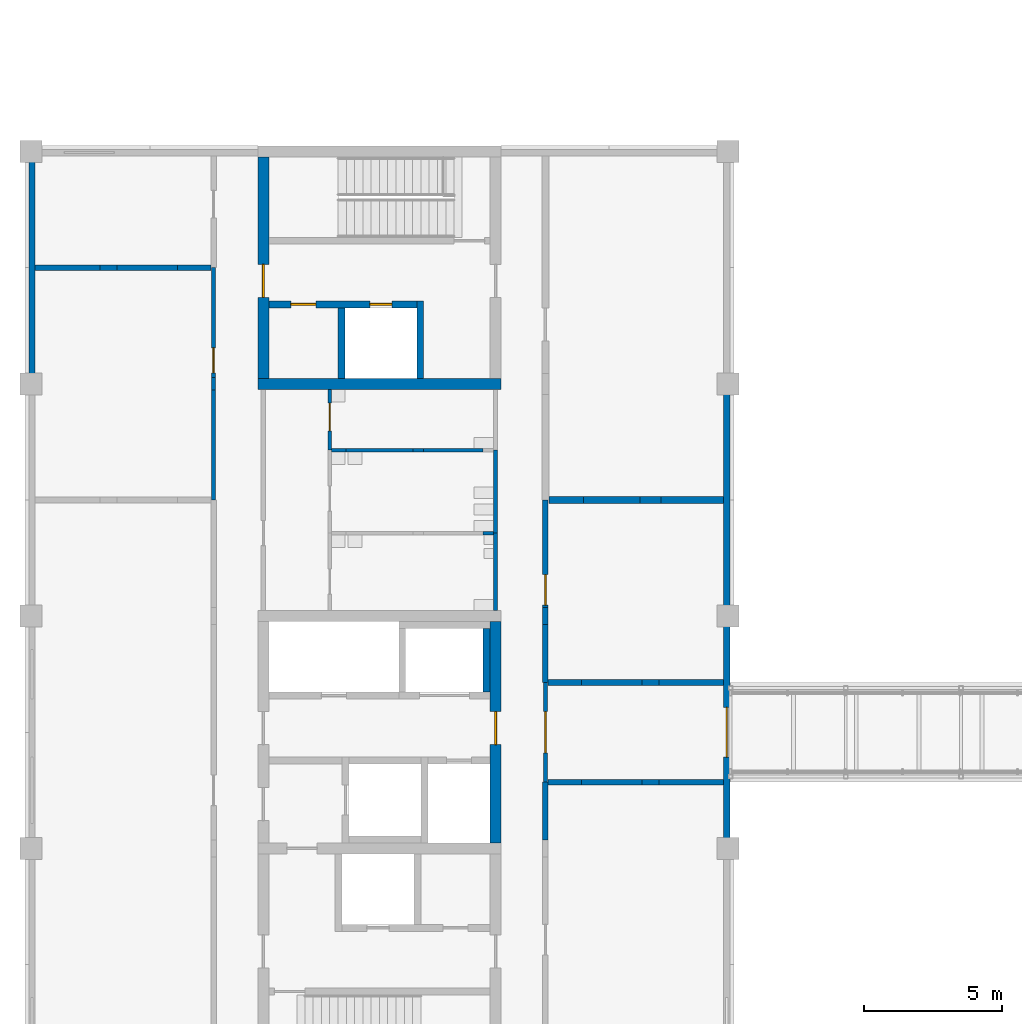
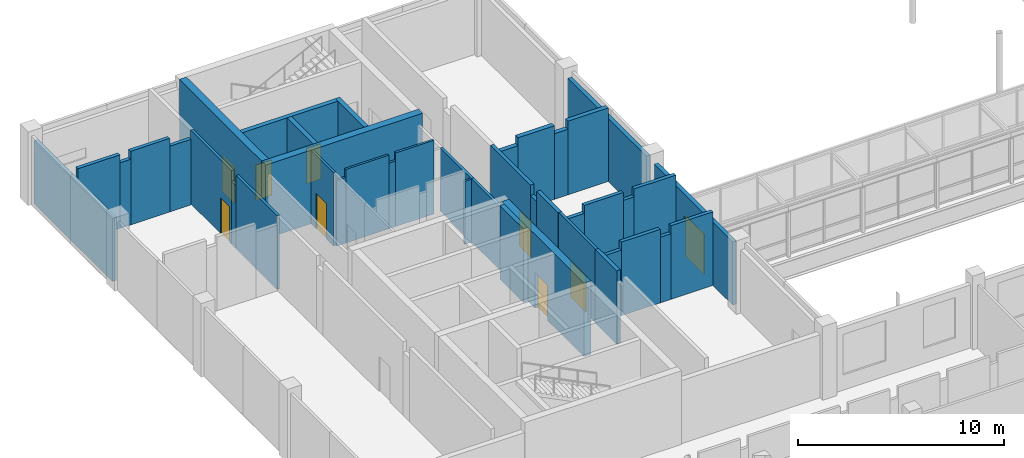
# One storey, part 36 of 70: 42 walls, 9 doors, 9 openings.
"""IFC4 building model written with IfcOpenShell, lengths in metres."""

from ifc_helpers import new_model, si_unit, direction, frame, frame_2d, origin, place, context, subcontext, project, spatial, rectangle, extrude, material, layer, layer_set, type_object, element, fill, save


model = new_model("IFC4")

# Units and contexts
model_context = context("Model", 3, precision=1e-05, world=origin(), true_north=direction((0.0, 1.0)))
body_context = subcontext(model_context, "Body", "Model", "MODEL_VIEW")
ifc_project = project(units=[si_unit("LENGTHUNIT", "METRE"), si_unit("AREAUNIT", "SQUARE_METRE"), si_unit("VOLUMEUNIT", "CUBIC_METRE"), si_unit("PLANEANGLEUNIT", "RADIAN"), si_unit("MASSUNIT", "GRAM", prefix="KILO")], contexts=[model_context])

# Site, building, storey
site_placement = place(None, origin())
site = spatial("IfcSite", under=ifc_project, at=site_placement, CompositionType="ELEMENT")
building_placement = place(site_placement, origin())
building = spatial("IfcBuilding", under=site, at=building_placement, Name="Hlaing Beacon Police Headquarters", CompositionType="ELEMENT")
storey_placement = place(building_placement, frame((0.0, 0.0, 5.39990234375)))
storey = spatial("IfcBuildingStorey", under=building, at=storey_placement, Name="L01", CompositionType="ELEMENT", Elevation=5.39990234375)

# Wall, opening, door
ifc_material_1 = material(Name="Concrete C60/75", Category="concrete")
ifc_layer_1 = layer(ifc_material_1, 0.39990234375)
ifc_layer_set_1 = layer_set([ifc_layer_1], Name="Concrete C60/75")
wall_type_1 = type_object("IfcWallType", Name="Core shear wall 400", PredefinedType="SHEAR", material=ifc_layer_set_1)
wall_1_placement = place(storey_placement, frame((25.199951171875, 42.199951171875, 0.0), z_axis=(0.0, 0.0, 1.0), x_axis=(0.0, 1.0, 0.0)))
wall_1 = element("IfcWall", 1, at=wall_1_placement, inside=storey, type_object=wall_type_1, Name="Core shear wall", PredefinedType="SHEAR", context=body_context, shape_type="SweptSolid", body=[
    extrude(rectangle(XDim=8.0, YDim=0.39990234375, at=frame_2d((4.0, 0.0))), origin(), (0.0, 0.0, 1.0), 4.3701171875),
])
opening_1_placement = place(wall_1_placement, frame((3.550048828125, 0.0, 0.0)))
opening_1 = element("IfcOpeningElement", 2, at=opening_1_placement, cuts=wall_1, Name="Opening L01-951", PredefinedType="OPENING", context=body_context, shape_type="SweptSolid", body=[
    extrude(rectangle(XDim=1.199951171875, YDim=2.10009765625, at=frame_2d((0.60009765625, 1.050048828125))), frame((0.0, 0.2099609375, 0.0), z_axis=(0.0, -1.0, 0.0), x_axis=(1.0, 0.0, 0.0)), (0.0, 0.0, 1.0), 0.419921875),
])
ifc_material_2 = material(Name="Steel fire door leaf", Category="steel")
ifc_layer_2 = layer(ifc_material_2, 0.070068359375)
ifc_layer_set_2 = layer_set([ifc_layer_2], Name="Steel fire door leaf")
door_type_1 = type_object("IfcDoorType", Name="Steel fire door FD60S 1200x2100", OperationType="SINGLE_SWING_LEFT", PredefinedType="DOOR", material=ifc_layer_set_2)
door_1_placement = place(opening_1_placement, origin())
door_1 = element("IfcDoor", 3, at=door_1_placement, inside=storey, type_object=door_type_1, Name="Door Lift Lobby Entry", OperationType="SINGLE_SWING_LEFT", OverallHeight=2.10009765625, OverallWidth=1.199951171875, PredefinedType="DOOR", context=body_context, shape_type="SweptSolid", body=[
    extrude(rectangle(XDim=1.199951171875, YDim=2.10009765625, at=frame_2d((0.60009765625, 1.050048828125))), frame((0.0, 0.03515625, 0.0), z_axis=(0.0, -1.0, 0.0), x_axis=(1.0, 0.0, 0.0)), (0.0, 0.0, 1.0), 0.070068359375),
])
fill(opening_1, door_1)

# Wall
wall_2_placement = place(storey_placement, frame((16.60009765625, 58.800048828125, 0.0), z_axis=(0.0, 0.0, 1.0), x_axis=(1.0, 0.0, 0.0)))
element("IfcWall", 4, at=wall_2_placement, inside=storey, type_object=wall_type_1, Name="Core shear wall", PredefinedType="SHEAR", context=body_context, shape_type="SweptSolid", body=[
    extrude(rectangle(XDim=8.7998046875, YDim=0.39990234375, at=frame_2d((4.39990234375, 0.0))), origin(), (0.0, 0.0, 1.0), 4.3701171875),
])

# Wall, opening, door
wall_3_placement = place(storey_placement, frame((16.800048828125, 59.0, 0.0), z_axis=(0.0, 0.0, 1.0), x_axis=(0.0, 1.0, 0.0)))
wall_3 = element("IfcWall", 5, at=wall_3_placement, inside=storey, type_object=wall_type_1, Name="Core shear wall", PredefinedType="SHEAR", context=body_context, shape_type="SweptSolid", body=[
    extrude(rectangle(XDim=8.0, YDim=0.39990234375, at=frame_2d((4.0, 0.0))), origin(), (0.0, 0.0, 1.0), 4.3701171875),
])
opening_2_placement = place(wall_3_placement, frame((2.925048828125, 0.0, 0.0)))
opening_2 = element("IfcOpeningElement", 6, at=opening_2_placement, cuts=wall_3, Name="Opening L01-957", PredefinedType="OPENING", context=body_context, shape_type="SweptSolid", body=[
    extrude(rectangle(XDim=1.199951171875, YDim=2.10009765625, at=frame_2d((0.60009765625, 1.050048828125))), frame((0.0, 0.2099609375, 0.0), z_axis=(0.0, -1.0, 0.0), x_axis=(1.0, 0.0, 0.0)), (0.0, 0.0, 1.0), 0.419921875),
])
door_2_placement = place(opening_2_placement, frame((1.199951171875, 0.0, 0.0), z_axis=(0.0, 0.0, 1.0), x_axis=(-1.0, 0.0, 0.0)))
door_2 = element("IfcDoor", 7, at=door_2_placement, inside=storey, type_object=door_type_1, Name="Door Stair Lobby ST-P Entry", OperationType="SINGLE_SWING_LEFT", OverallHeight=2.10009765625, OverallWidth=1.199951171875, PredefinedType="DOOR", context=body_context, shape_type="SweptSolid", body=[
    extrude(rectangle(XDim=1.199951171875, YDim=2.10009765625, at=frame_2d((0.599853515625, 1.050048828125))), frame((0.0, 0.034912109375, 0.0), z_axis=(0.0, -1.0, 0.0), x_axis=(1.0, 0.0, 0.0)), (0.0, 0.0, 1.0), 0.070068359375),
])
fill(opening_2, door_2)

ifc_material_3 = material(Name="Gypsum board partition")
ifc_layer_3 = layer(ifc_material_3, 0.14990234375)
ifc_layer_set_3 = layer_set([ifc_layer_3], Name="Gypsum board partition")
wall_type_2 = type_object("IfcWallType", Name="Corridor wall EI 30 150", PredefinedType="PARTITIONING", material=ifc_layer_set_3)
wall_4_placement = place(storey_placement, frame((27.0, 44.39990234375, 0.0), z_axis=(0.0, 0.0, 1.0), x_axis=(0.0, 1.0, 0.0)))
wall_4 = element("IfcWall", 8, at=wall_4_placement, inside=storey, type_object=wall_type_2, Name="Corridor wall EI 30 150", PredefinedType="PARTITIONING", context=body_context, shape_type="SweptSolid", body=[
    extrude(rectangle(XDim=3.60009765625, YDim=0.14990234375, at=frame_2d((1.800048828125, 0.0))), origin(), (0.0, 0.0, 1.0), 4.3701171875),
])
opening_3_placement = place(wall_4_placement, frame((1.050048828125, 0.0, 0.0)))
opening_3 = element("IfcOpeningElement", 9, at=opening_3_placement, cuts=wall_4, Name="Opening L01-058", PredefinedType="OPENING", context=body_context, shape_type="SweptSolid", body=[
    extrude(rectangle(XDim=1.5, YDim=2.10009765625, at=frame_2d((0.75, 1.050048828125))), frame((0.0, 0.0849609375, 0.0), z_axis=(0.0, -1.0, 0.0), x_axis=(1.0, 0.0, 0.0)), (0.0, 0.0, 1.0), 0.169921875),
])
ifc_material_4 = material(Name="Hardwood door leaf", Category="wood")
ifc_layer_4 = layer(ifc_material_4, 0.050048828125)
ifc_layer_set_4 = layer_set([ifc_layer_4], Name="Hardwood door leaf")
door_type_2 = type_object("IfcDoorType", Name="Fire cross-corridor door FD30S 1500x2100", OperationType="DOUBLE_DOOR_SINGLE_SWING", PredefinedType="DOOR", material=ifc_layer_set_4)
door_3_placement = place(opening_3_placement, frame((1.5, 0.0, 0.0), z_axis=(0.0, 0.0, 1.0), x_axis=(-1.0, 0.0, 0.0)))
door_3 = element("IfcDoor", 10, at=door_3_placement, inside=storey, type_object=door_type_2, Name="Door Bridge Landing", OperationType="DOUBLE_DOOR_SINGLE_SWING", OverallHeight=2.10009765625, OverallWidth=1.5, PredefinedType="DOOR", context=body_context, shape_type="SweptSolid", body=[
    extrude(rectangle(XDim=1.5, YDim=2.10009765625, at=frame_2d((0.75, 1.050048828125))), frame((0.0, 0.025146484375, 0.0), z_axis=(0.0, -1.0, 0.0), x_axis=(1.0, 0.0, 0.0)), (0.0, 0.0, 1.0), 0.050048828125),
])
fill(opening_3, door_3)

# Walls
wall_5_placement = place(storey_placement, frame((25.199951171875, 53.39990234375, 0.0), z_axis=(0.0, 0.0, 1.0), x_axis=(0.0, 1.0, 0.0)))
element("IfcWall", 11, at=wall_5_placement, inside=storey, type_object=wall_type_2, Name="Corridor wall EI 30 150", PredefinedType="PARTITIONING", context=body_context, shape_type="SweptSolid", body=[
    extrude(rectangle(XDim=3.0, YDim=0.14990234375, at=frame_2d((1.5, 0.0))), origin(), (0.0, 0.0, 1.0), 3.74609375),
])
wall_6_placement = place(storey_placement, frame((25.199951171875, 50.60009765625, 0.0), z_axis=(0.0, 0.0, 1.0), x_axis=(0.0, 1.0, 0.0)))
element("IfcWall", 12, at=wall_6_placement, inside=storey, type_object=wall_type_2, Name="Corridor wall EI 30 150", PredefinedType="PARTITIONING", context=body_context, shape_type="SweptSolid", body=[
    extrude(rectangle(XDim=2.7998046875, YDim=0.14990234375, at=frame_2d((1.39990234375, 0.0))), origin(), (0.0, 0.0, 1.0), 3.74609375),
])
wall_7_placement = place(storey_placement, frame((15.0, 54.60009765625, 0.0), z_axis=(0.0, 0.0, 1.0), x_axis=(0.0, 1.0, 0.0)))
element("IfcWall", 13, at=wall_7_placement, inside=storey, type_object=wall_type_2, Name="Corridor wall EI 30 150", PredefinedType="PARTITIONING", context=body_context, shape_type="SweptSolid", body=[
    extrude(rectangle(XDim=3.969970703125, YDim=0.14990234375, at=frame_2d((1.98486328125, 0.0))), origin(), (0.0, 0.0, 1.0), 4.3701171875),
])
wall_8_placement = place(storey_placement, frame((15.0, 58.570068359375, 0.0), z_axis=(0.0, 0.0, 1.0), x_axis=(0.0, 1.0, 0.0)))
element("IfcWall", 14, at=wall_8_placement, inside=storey, type_object=wall_type_2, Name="Corridor wall EI 30 150", PredefinedType="PARTITIONING", context=body_context, shape_type="SweptSolid", body=[
    extrude(rectangle(XDim=0.4599609375, YDim=0.14990234375, at=frame_2d((0.22998046875, 0.0))), origin(), (0.0, 0.0, 1.0), 3.74609375),
])

# Wall, opening, door
wall_9_placement = place(storey_placement, frame((15.0, 59.030029296875, 0.0), z_axis=(0.0, 0.0, 1.0), x_axis=(0.0, 1.0, 0.0)))
wall_9 = element("IfcWall", 15, at=wall_9_placement, inside=storey, type_object=wall_type_2, Name="Corridor wall EI 30 150", PredefinedType="PARTITIONING", context=body_context, shape_type="SweptSolid", body=[
    extrude(rectangle(XDim=3.969970703125, YDim=0.14990234375, at=frame_2d((1.98486328125, 0.0))), origin(), (0.0, 0.0, 1.0), 4.3701171875),
])
opening_4_placement = place(wall_9_placement, frame((0.169921875, 0.0, 0.0)))
opening_4 = element("IfcOpeningElement", 16, at=opening_4_placement, cuts=wall_9, Name="Opening L01-067", PredefinedType="OPENING", context=body_context, shape_type="SweptSolid", body=[
    extrude(rectangle(XDim=0.89990234375, YDim=2.10009765625, at=frame_2d((0.449951171875, 1.050048828125))), frame((0.0, 0.0849609375, 0.0), z_axis=(0.0, -1.0, 0.0), x_axis=(1.0, 0.0, 0.0)), (0.0, 0.0, 1.0), 0.169921875),
])
ifc_material_5 = material(Name="Hardwood door leaf", Category="wood")
ifc_layer_5 = layer(ifc_material_5, 0.050048828125)
ifc_layer_set_5 = layer_set([ifc_layer_5], Name="Hardwood door leaf")
door_type_3 = type_object("IfcDoorType", Name="Fire door FD30S 900x2100", OperationType="SINGLE_SWING_LEFT", PredefinedType="DOOR", material=ifc_layer_set_5)
door_4_placement = place(opening_4_placement, origin())
door_4 = element("IfcDoor", 17, at=door_4_placement, inside=storey, type_object=door_type_3, Name="Door Laboratory Consumables Store", OperationType="SINGLE_SWING_RIGHT", OverallHeight=2.10009765625, OverallWidth=0.89990234375, PredefinedType="DOOR", context=body_context, shape_type="SweptSolid", body=[
    extrude(rectangle(XDim=0.89990234375, YDim=2.10009765625, at=frame_2d((0.449951171875, 1.050048828125))), frame((0.0, 0.02490234375, 0.0), z_axis=(0.0, -1.0, 0.0), x_axis=(1.0, 0.0, 0.0)), (0.0, 0.0, 1.0), 0.050048828125),
])
fill(opening_4, door_4)

# Walls
ifc_material_6 = material(Name="Concrete blockwork 7.5 N/mm2", Category="masonry")
ifc_layer_6 = layer(ifc_material_6, 0.199951171875)
ifc_layer_set_6 = layer_set([ifc_layer_6], Name="Concrete blockwork 7.5 N/mm2")
wall_type_3 = type_object("IfcWallType", Name="Laboratory wall EI 60 200", PredefinedType="PARTITIONING", material=ifc_layer_set_6)
wall_10_placement = place(storey_placement, frame((27.10009765625, 44.39990234375, 0.0), z_axis=(0.0, 0.0, 1.0), x_axis=(1.0, 0.0, 0.0)))
element("IfcWall", 18, at=wall_10_placement, inside=storey, type_object=wall_type_3, Name="Laboratory wall EI 60 200", PredefinedType="PARTITIONING", context=body_context, shape_type="SweptSolid", body=[
    extrude(rectangle(XDim=1.204833984375, YDim=0.199951171875, at=frame_2d((0.6025390625, 0.0))), origin(), (0.0, 0.0, 1.0), 3.89501953125),
])
wall_11_placement = place(storey_placement, frame((28.304931640625, 44.39990234375, 0.0), z_axis=(0.0, 0.0, 1.0), x_axis=(1.0, 0.0, 0.0)))
element("IfcWall", 19, at=wall_11_placement, inside=storey, type_object=wall_type_3, Name="Laboratory wall EI 60 200", PredefinedType="PARTITIONING", context=body_context, shape_type="SweptSolid", body=[
    extrude(rectangle(XDim=2.190185546875, YDim=0.199951171875, at=frame_2d((1.09521484375, 0.0))), origin(), (0.0, 0.0, 1.0), 4.3701171875),
])
wall_12_placement = place(storey_placement, frame((30.4951171875, 44.39990234375, 0.0), z_axis=(0.0, 0.0, 1.0), x_axis=(1.0, 0.0, 0.0)))
element("IfcWall", 20, at=wall_12_placement, inside=storey, type_object=wall_type_3, Name="Laboratory wall EI 60 200", PredefinedType="PARTITIONING", context=body_context, shape_type="SweptSolid", body=[
    extrude(rectangle(XDim=0.60986328125, YDim=0.199951171875, at=frame_2d((0.304931640625, 0.0))), origin(), (0.0, 0.0, 1.0), 3.89501953125),
])
wall_13_placement = place(storey_placement, frame((31.10498046875, 44.39990234375, 0.0), z_axis=(0.0, 0.0, 1.0), x_axis=(1.0, 0.0, 0.0)))
element("IfcWall", 21, at=wall_13_placement, inside=storey, type_object=wall_type_3, Name="Laboratory wall EI 60 200", PredefinedType="PARTITIONING", context=body_context, shape_type="SweptSolid", body=[
    extrude(rectangle(XDim=2.344970703125, YDim=0.199951171875, at=frame_2d((1.17236328125, 0.0))), origin(), (0.0, 0.0, 1.0), 4.3701171875),
])
wall_14_placement = place(storey_placement, frame((27.10009765625, 48.0, 0.0), z_axis=(0.0, 0.0, 1.0), x_axis=(1.0, 0.0, 0.0)))
element("IfcWall", 22, at=wall_14_placement, inside=storey, type_object=wall_type_3, Name="Laboratory wall EI 60 200", PredefinedType="PARTITIONING", context=body_context, shape_type="SweptSolid", body=[
    extrude(rectangle(XDim=1.204833984375, YDim=0.199951171875, at=frame_2d((0.6025390625, 0.0))), origin(), (0.0, 0.0, 1.0), 3.89501953125),
])
wall_15_placement = place(storey_placement, frame((28.304931640625, 48.0, 0.0), z_axis=(0.0, 0.0, 1.0), x_axis=(1.0, 0.0, 0.0)))
element("IfcWall", 23, at=wall_15_placement, inside=storey, type_object=wall_type_3, Name="Laboratory wall EI 60 200", PredefinedType="PARTITIONING", context=body_context, shape_type="SweptSolid", body=[
    extrude(rectangle(XDim=2.190185546875, YDim=0.199951171875, at=frame_2d((1.09521484375, 0.0))), origin(), (0.0, 0.0, 1.0), 4.3701171875),
])
wall_16_placement = place(storey_placement, frame((30.4951171875, 48.0, 0.0), z_axis=(0.0, 0.0, 1.0), x_axis=(1.0, 0.0, 0.0)))
element("IfcWall", 24, at=wall_16_placement, inside=storey, type_object=wall_type_3, Name="Laboratory wall EI 60 200", PredefinedType="PARTITIONING", context=body_context, shape_type="SweptSolid", body=[
    extrude(rectangle(XDim=0.60986328125, YDim=0.199951171875, at=frame_2d((0.304931640625, 0.0))), origin(), (0.0, 0.0, 1.0), 3.89501953125),
])
wall_17_placement = place(storey_placement, frame((31.10498046875, 48.0, 0.0), z_axis=(0.0, 0.0, 1.0), x_axis=(1.0, 0.0, 0.0)))
element("IfcWall", 25, at=wall_17_placement, inside=storey, type_object=wall_type_3, Name="Laboratory wall EI 60 200", PredefinedType="PARTITIONING", context=body_context, shape_type="SweptSolid", body=[
    extrude(rectangle(XDim=2.344970703125, YDim=0.199951171875, at=frame_2d((1.17236328125, 0.0))), origin(), (0.0, 0.0, 1.0), 4.3701171875),
])
for number, where, z_axis, x_axis, name in (
    (26, (27.0, 42.304931640625, 0.0), (0.0, 0.0, 1.0), (0.0, 1.0, 0.0), "Laboratory wall EI 60 200"),
    (27, (27.0, 48.0, 0.0), (0.0, 0.0, 1.0), (0.0, 1.0, 0.0), "Laboratory wall EI 60 200"),
):
    element("IfcWall", number, at=place(storey_placement, frame(where, z_axis=z_axis, x_axis=x_axis)), inside=storey, type_object=wall_type_3, Name=name, PredefinedType="PARTITIONING", context=body_context, shape_type="SweptSolid", body=[
        extrude(rectangle(XDim=2.094970703125, YDim=0.199951171875, at=frame_2d((1.04736328125, 0.0))), origin(), (0.0, 0.0, 1.0), 4.3701171875),
    ])
wall_18_placement = place(storey_placement, frame((27.0, 50.094970703125, 0.0), z_axis=(0.0, 0.0, 1.0), x_axis=(0.0, 1.0, 0.0)))
element("IfcWall", 28, at=wall_18_placement, inside=storey, type_object=wall_type_3, Name="Laboratory wall EI 60 200", PredefinedType="PARTITIONING", context=body_context, shape_type="SweptSolid", body=[
    extrude(rectangle(XDim=0.610107421875, YDim=0.199951171875, at=frame_2d((0.30517578125, 0.0))), origin(), (0.0, 0.0, 1.0), 3.74609375),
])

# Wall, opening, door
wall_19_placement = place(storey_placement, frame((27.0, 50.705078125, 0.0), z_axis=(0.0, 0.0, 1.0), x_axis=(0.0, 1.0, 0.0)))
wall_19 = element("IfcWall", 29, at=wall_19_placement, inside=storey, type_object=wall_type_3, Name="Laboratory wall EI 60 200", PredefinedType="PARTITIONING", context=body_context, shape_type="SweptSolid", body=[
    extrude(rectangle(XDim=3.89501953125, YDim=0.199951171875, at=frame_2d((1.947509765625, 0.0))), origin(), (0.0, 0.0, 1.0), 4.3701171875),
])
opening_5_placement = place(wall_19_placement, frame((0.094970703125, 0.0, 0.0)))
opening_5 = element("IfcOpeningElement", 30, at=opening_5_placement, cuts=wall_19, Name="Opening L01-060", PredefinedType="OPENING", context=body_context, shape_type="SweptSolid", body=[
    extrude(rectangle(XDim=1.10009765625, YDim=2.10009765625, at=frame_2d((0.550048828125, 1.050048828125))), frame((0.0, 0.10986328125, 0.0), z_axis=(0.0, -1.0, 0.0), x_axis=(1.0, 0.0, 0.0)), (0.0, 0.0, 1.0), 0.219970703125),
])
ifc_material_7 = material(Name="Hardwood door leaf", Category="wood")
ifc_layer_7 = layer(ifc_material_7, 0.050048828125)
ifc_layer_set_7 = layer_set([ifc_layer_7], Name="Hardwood door leaf")
door_type_4 = type_object("IfcDoorType", Name="Fire door FD30 1100x2100", OperationType="SINGLE_SWING_LEFT", PredefinedType="DOOR", material=ifc_layer_set_7)
door_5_placement = place(opening_5_placement, frame((1.10009765625, 0.0, 0.0), z_axis=(0.0, 0.0, 1.0), x_axis=(-1.0, 0.0, 0.0)))
door_5 = element("IfcDoor", 31, at=door_5_placement, inside=storey, type_object=door_type_4, Name="Door Biology Laboratory Annex", OperationType="SINGLE_SWING_LEFT", OverallHeight=2.10009765625, OverallWidth=1.10009765625, PredefinedType="DOOR", context=body_context, shape_type="SweptSolid", body=[
    extrude(rectangle(XDim=1.10009765625, YDim=2.10009765625, at=frame_2d((0.550048828125, 1.050048828125))), frame((0.0, 0.025146484375, 0.0), z_axis=(0.0, -1.0, 0.0), x_axis=(1.0, 0.0, 0.0)), (0.0, 0.0, 1.0), 0.050048828125),
])
fill(opening_5, door_5)

# Walls
wall_20_placement = place(storey_placement, frame((8.550048828125, 63.0, 0.0), z_axis=(0.0, 0.0, 1.0), x_axis=(1.0, 0.0, 0.0)))
element("IfcWall", 32, at=wall_20_placement, inside=storey, type_object=wall_type_3, Name="Laboratory wall EI 60 200", PredefinedType="PARTITIONING", context=body_context, shape_type="SweptSolid", body=[
    extrude(rectangle(XDim=2.344970703125, YDim=0.199951171875, at=frame_2d((1.17236328125, 0.0))), origin(), (0.0, 0.0, 1.0), 4.3701171875),
])
wall_21_placement = place(storey_placement, frame((10.89501953125, 63.0, 0.0), z_axis=(0.0, 0.0, 1.0), x_axis=(1.0, 0.0, 0.0)))
element("IfcWall", 33, at=wall_21_placement, inside=storey, type_object=wall_type_3, Name="Laboratory wall EI 60 200", PredefinedType="PARTITIONING", context=body_context, shape_type="SweptSolid", body=[
    extrude(rectangle(XDim=0.60986328125, YDim=0.199951171875, at=frame_2d((0.304931640625, 0.0))), origin(), (0.0, 0.0, 1.0), 3.89501953125),
])
wall_22_placement = place(storey_placement, frame((11.5048828125, 63.0, 0.0), z_axis=(0.0, 0.0, 1.0), x_axis=(1.0, 0.0, 0.0)))
element("IfcWall", 34, at=wall_22_placement, inside=storey, type_object=wall_type_3, Name="Laboratory wall EI 60 200", PredefinedType="PARTITIONING", context=body_context, shape_type="SweptSolid", body=[
    extrude(rectangle(XDim=2.190185546875, YDim=0.199951171875, at=frame_2d((1.09521484375, 0.0))), origin(), (0.0, 0.0, 1.0), 4.3701171875),
])
wall_23_placement = place(storey_placement, frame((13.695068359375, 63.0, 0.0), z_axis=(0.0, 0.0, 1.0), x_axis=(1.0, 0.0, 0.0)))
element("IfcWall", 35, at=wall_23_placement, inside=storey, type_object=wall_type_3, Name="Laboratory wall EI 60 200", PredefinedType="PARTITIONING", context=body_context, shape_type="SweptSolid", body=[
    extrude(rectangle(XDim=1.204833984375, YDim=0.199951171875, at=frame_2d((0.6025390625, 0.0))), origin(), (0.0, 0.0, 1.0), 3.89501953125),
])
ifc_material_8 = material(Name="Gypsum board partition")
ifc_layer_8 = layer(ifc_material_8, 0.125)
ifc_layer_set_8 = layer_set([ifc_layer_8], Name="Gypsum board partition")
wall_type_4 = type_object("IfcWallType", Name="Partition 125", PredefinedType="PARTITIONING", material=ifc_layer_set_8)
wall_24_placement = place(storey_placement, frame((19.261962890625, 56.39990234375, 0.0), z_axis=(0.0, 0.0, 1.0), x_axis=(1.0, 0.0, 0.0)))
element("IfcWall", 36, at=wall_24_placement, inside=storey, type_object=wall_type_4, Name="Partition 125", PredefinedType="PARTITIONING", context=body_context, shape_type="SweptSolid", body=[
    extrude(rectangle(XDim=0.531005859375, YDim=0.125, at=frame_2d((0.265625, 0.0))), origin(), (0.0, 0.0, 1.0), 3.89501953125),
])
wall_25_placement = place(storey_placement, frame((19.79296875, 56.39990234375, 0.0), z_axis=(0.0, 0.0, 1.0), x_axis=(1.0, 0.0, 0.0)))
element("IfcWall", 37, at=wall_25_placement, inside=storey, type_object=wall_type_4, Name="Partition 125", PredefinedType="PARTITIONING", context=body_context, shape_type="SweptSolid", body=[
    extrude(rectangle(XDim=2.4140625, YDim=0.125, at=frame_2d((1.20703125, 0.0))), origin(), (0.0, 0.0, 1.0), 4.3701171875),
])
wall_26_placement = place(storey_placement, frame((22.20703125, 56.39990234375, 0.0), z_axis=(0.0, 0.0, 1.0), x_axis=(1.0, 0.0, 0.0)))
element("IfcWall", 38, at=wall_26_placement, inside=storey, type_object=wall_type_4, Name="Partition 125", PredefinedType="PARTITIONING", context=body_context, shape_type="SweptSolid", body=[
    extrude(rectangle(XDim=0.385009765625, YDim=0.125, at=frame_2d((0.1923828125, 0.0))), origin(), (0.0, 0.0, 1.0), 3.89501953125),
])
wall_27_placement = place(storey_placement, frame((22.592041015625, 56.39990234375, 0.0), z_axis=(0.0, 0.0, 1.0), x_axis=(1.0, 0.0, 0.0)))
element("IfcWall", 39, at=wall_27_placement, inside=storey, type_object=wall_type_4, Name="Partition 125", PredefinedType="PARTITIONING", context=body_context, shape_type="SweptSolid", body=[
    extrude(rectangle(XDim=2.14794921875, YDim=0.125, at=frame_2d((1.073974609375, 0.0))), origin(), (0.0, 0.0, 1.0), 4.3701171875),
])

# Wall, opening, door
wall_28_placement = place(storey_placement, frame((19.199951171875, 56.39990234375, 0.0), z_axis=(0.0, 0.0, 1.0), x_axis=(0.0, 1.0, 0.0)))
wall_28 = element("IfcWall", 40, at=wall_28_placement, inside=storey, type_object=wall_type_4, Name="Partition 125", PredefinedType="PARTITIONING", context=body_context, shape_type="SweptSolid", body=[
    extrude(rectangle(XDim=2.2001953125, YDim=0.125, at=frame_2d((1.10009765625, 0.0))), origin(), (0.0, 0.0, 1.0), 4.3701171875),
])
opening_6_placement = place(wall_28_placement, frame((0.699951171875, 0.0, 0.0)))
opening_6 = element("IfcOpeningElement", 41, at=opening_6_placement, cuts=wall_28, Name="Opening L01-062", PredefinedType="OPENING", context=body_context, shape_type="SweptSolid", body=[
    extrude(rectangle(XDim=1.0, YDim=2.10009765625, at=frame_2d((0.5, 1.050048828125))), frame((0.0, 0.072509765625, 0.0), z_axis=(0.0, -1.0, 0.0), x_axis=(1.0, 0.0, 0.0)), (0.0, 0.0, 1.0), 0.14501953125),
])
ifc_material_9 = material(Name="Hardwood door leaf", Category="wood")
ifc_layer_9 = layer(ifc_material_9, 0.0400390625)
ifc_layer_set_9 = layer_set([ifc_layer_9], Name="Hardwood door leaf")
door_type_5 = type_object("IfcDoorType", Name="Door 1000x2100", OperationType="SINGLE_SWING_LEFT", PredefinedType="DOOR", material=ifc_layer_set_9)
door_6_placement = place(opening_6_placement, frame((1.0, 0.0, 0.0), z_axis=(0.0, 0.0, 1.0), x_axis=(-1.0, 0.0, 0.0)))
door_6 = element("IfcDoor", 42, at=door_6_placement, inside=storey, type_object=door_type_5, Name="Door Accessible WC", OperationType="SINGLE_SWING_LEFT", OverallHeight=2.10009765625, OverallWidth=1.0, PredefinedType="DOOR", context=body_context, shape_type="SweptSolid", body=[
    extrude(rectangle(XDim=1.0, YDim=2.10009765625, at=frame_2d((0.5, 1.050048828125))), frame((0.0, 0.02001953125, 0.0), z_axis=(0.0, -1.0, 0.0), x_axis=(1.0, 0.0, 0.0)), (0.0, 0.0, 1.0), 0.0400390625),
])
fill(opening_6, door_6)

# Walls
wall_29_placement = place(storey_placement, frame((24.739990234375, 53.39990234375, 0.0), z_axis=(0.0, 0.0, 1.0), x_axis=(1.0, 0.0, 0.0)))
element("IfcWall", 43, at=wall_29_placement, inside=storey, type_object=wall_type_4, Name="Partition 125", PredefinedType="PARTITIONING", context=body_context, shape_type="SweptSolid", body=[
    extrude(rectangle(XDim=0.385009765625, YDim=0.125, at=frame_2d((0.1923828125, 0.0))), origin(), (0.0, 0.0, 1.0), 3.74609375),
])
ifc_material_10 = material(Name="Concrete blockwork 7.5 N/mm2", Category="masonry")
ifc_layer_10 = layer(ifc_material_10, 0.25)
ifc_layer_set_10 = layer_set([ifc_layer_10], Name="Concrete blockwork 7.5 N/mm2")
wall_type_5 = type_object("IfcWallType", Name="Plant room wall EI 120 250", PredefinedType="PARTITIONING", material=ifc_layer_set_10)
wall_30_placement = place(storey_placement, frame((27.125, 54.60009765625, 0.0), z_axis=(0.0, 0.0, 1.0), x_axis=(1.0, 0.0, 0.0)))
element("IfcWall", 44, at=wall_30_placement, inside=storey, type_object=wall_type_5, Name="Plant room wall EI 120 250", PredefinedType="PARTITIONING", context=body_context, shape_type="SweptSolid", body=[
    extrude(rectangle(XDim=1.2548828125, YDim=0.25, at=frame_2d((0.62744140625, 0.0))), origin(), (0.0, 0.0, 1.0), 3.89501953125),
])
wall_31_placement = place(storey_placement, frame((28.3798828125, 54.60009765625, 0.0), z_axis=(0.0, 0.0, 1.0), x_axis=(1.0, 0.0, 0.0)))
element("IfcWall", 45, at=wall_31_placement, inside=storey, type_object=wall_type_5, Name="Plant room wall EI 120 250", PredefinedType="PARTITIONING", context=body_context, shape_type="SweptSolid", body=[
    extrude(rectangle(XDim=2.0400390625, YDim=0.25, at=frame_2d((1.02001953125, 0.0))), origin(), (0.0, 0.0, 1.0), 4.3701171875),
])
wall_32_placement = place(storey_placement, frame((30.419921875, 54.60009765625, 0.0), z_axis=(0.0, 0.0, 1.0), x_axis=(1.0, 0.0, 0.0)))
element("IfcWall", 46, at=wall_32_placement, inside=storey, type_object=wall_type_5, Name="Plant room wall EI 120 250", PredefinedType="PARTITIONING", context=body_context, shape_type="SweptSolid", body=[
    extrude(rectangle(XDim=0.760009765625, YDim=0.25, at=frame_2d((0.3798828125, 0.0))), origin(), (0.0, 0.0, 1.0), 3.89501953125),
])
wall_33_placement = place(storey_placement, frame((31.179931640625, 54.60009765625, 0.0), z_axis=(0.0, 0.0, 1.0), x_axis=(1.0, 0.0, 0.0)))
element("IfcWall", 47, at=wall_33_placement, inside=storey, type_object=wall_type_5, Name="Plant room wall EI 120 250", PredefinedType="PARTITIONING", context=body_context, shape_type="SweptSolid", body=[
    extrude(rectangle(XDim=2.27001953125, YDim=0.25, at=frame_2d((1.135009765625, 0.0))), origin(), (0.0, 0.0, 1.0), 4.3701171875),
])
ifc_material_11 = material(Name="Fibre cement ribbed cladding on insulated frame")
ifc_layer_11 = layer(ifc_material_11, 0.22509765625)
ifc_layer_set_11 = layer_set([ifc_layer_11], Name="Fibre cement ribbed cladding on insulated frame")
wall_type_6 = type_object("IfcWallType", Name="Ribbed fibre-cement clad wall 225", PredefinedType="SOLIDWALL", material=ifc_layer_set_11)
wall_34_placement = place(storey_placement, frame((8.4375, 66.820068359375, 0.0), z_axis=(0.0, 0.0, 1.0), x_axis=(0.0, -1.0, 0.0)))
element("IfcWall", 48, at=wall_34_placement, inside=storey, type_object=wall_type_6, Name="External wall L01 W007", PredefinedType="SOLIDWALL", context=body_context, shape_type="SweptSolid", body=[
    extrude(rectangle(XDim=7.64013671875, YDim=0.22509765625, at=frame_2d((3.820068359375, 0.0))), origin(), (0.0, 0.0, 1.0), 3.74609375),
])

# Wall, opening, door
wall_35_placement = place(storey_placement, frame((33.5625, 42.3798828125, 0.0), z_axis=(0.0, 0.0, 1.0), x_axis=(0.0, 1.0, 0.0)))
wall_35 = element("IfcWall", 49, at=wall_35_placement, inside=storey, type_object=wall_type_6, Name="External wall L01 E017", PredefinedType="SOLIDWALL", context=body_context, shape_type="SweptSolid", body=[
    extrude(rectangle(XDim=7.64013671875, YDim=0.22509765625, at=frame_2d((3.820068359375, 0.0))), origin(), (0.0, 0.0, 1.0), 3.74609375),
])
opening_7_placement = place(wall_35_placement, frame((2.919921875, 0.0, 0.0)))
opening_7 = element("IfcOpeningElement", 50, at=opening_7_placement, cuts=wall_35, Name="Opening L01-801", PredefinedType="OPENING", context=body_context, shape_type="SweptSolid", body=[
    extrude(rectangle(XDim=1.800048828125, YDim=2.39990234375, at=frame_2d((0.89990234375, 1.199951171875))), frame((0.0, 0.12255859375, 0.0), z_axis=(0.0, -1.0, 0.0), x_axis=(1.0, 0.0, 0.0)), (0.0, 0.0, 1.0), 0.2451171875),
])
ifc_material_12 = material(Name="Aluminium framed glazed door", Category="aluminium")
door_type_6 = type_object("IfcDoorType", Name="Entrance door 1800x2400 double", OperationType="DOUBLE_DOOR_DOUBLE_SWING", PredefinedType="DOOR", material=ifc_material_12)
door_7_placement = place(opening_7_placement, frame((1.800048828125, 0.0, 0.0), z_axis=(0.0, 0.0, 1.0), x_axis=(-1.0, 0.0, 0.0)))
door_7 = element("IfcDoor", 51, at=door_7_placement, inside=storey, type_object=door_type_6, Name="Door Bridge BR1 west door", OperationType="DOUBLE_DOOR_DOUBLE_SWING", OverallHeight=2.39990234375, OverallWidth=1.800048828125, PredefinedType="DOOR", context=body_context, shape_type="SweptSolid", body=[
    extrude(rectangle(XDim=1.800048828125, YDim=2.39990234375, at=frame_2d((0.900146484375, 1.199951171875))), frame((0.0, 0.025146484375, 0.0), z_axis=(0.0, -1.0, 0.0), x_axis=(1.0, 0.0, 0.0)), (0.0, 0.0, 1.0), 0.050048828125),
])
fill(opening_7, door_7)

# Walls
wall_36_placement = place(storey_placement, frame((33.5625, 50.780029296875, 0.0), z_axis=(0.0, 0.0, 1.0), x_axis=(0.0, 1.0, 0.0)))
element("IfcWall", 52, at=wall_36_placement, inside=storey, type_object=wall_type_6, Name="External wall L01 E018", PredefinedType="SOLIDWALL", context=body_context, shape_type="SweptSolid", body=[
    extrude(rectangle(XDim=7.639892578125, YDim=0.22509765625, at=frame_2d((3.81982421875, 0.0))), origin(), (0.0, 0.0, 1.0), 3.74609375),
])
ifc_material_13 = material(Name="Concrete C40/50", Category="concrete")
ifc_layer_12 = layer(ifc_material_13, 0.25)
ifc_layer_set_12 = layer_set([ifc_layer_12], Name="Concrete C40/50")
wall_type_7 = type_object("IfcWallType", Name="Shaft wall 250", PredefinedType="SOLIDWALL", material=ifc_layer_set_12)
wall_37_placement = place(storey_placement, frame((22.47509765625, 61.800048828125, 0.0), z_axis=(0.0, 0.0, 1.0), x_axis=(0.0, -1.0, 0.0)))
element("IfcWall", 53, at=wall_37_placement, inside=storey, type_object=wall_type_7, Name="Lobby wall", PredefinedType="SOLIDWALL", context=body_context, shape_type="SweptSolid", body=[
    extrude(rectangle(XDim=2.800048828125, YDim=0.25, at=frame_2d((1.39990234375, 0.0))), origin(), (0.0, 0.0, 1.0), 4.3701171875),
])

# Wall, openings, doors
wall_38_placement = place(storey_placement, frame((22.35009765625, 61.675048828125, 0.0), z_axis=(0.0, 0.0, 1.0), x_axis=(-1.0, 0.0, 0.0)))
wall_38 = element("IfcWall", 54, at=wall_38_placement, inside=storey, type_object=wall_type_7, Name="Lobby wall", PredefinedType="SOLIDWALL", context=body_context, shape_type="SweptSolid", body=[
    extrude(rectangle(XDim=5.35009765625, YDim=0.25, at=frame_2d((2.675048828125, 0.0))), origin(), (0.0, 0.0, 1.0), 4.3701171875),
])
opening_8_placement = place(wall_38_placement, frame((3.64990234375, 0.0, 0.0)))
opening_8 = element("IfcOpeningElement", 55, at=opening_8_placement, cuts=wall_38, Name="Opening L01-956", PredefinedType="OPENING", context=body_context, shape_type="SweptSolid", body=[
    extrude(rectangle(XDim=0.89990234375, YDim=2.10009765625, at=frame_2d((0.449951171875, 1.050048828125))), frame((0.0, 0.135009765625, 0.0), z_axis=(0.0, -1.0, 0.0), x_axis=(1.0, 0.0, 0.0)), (0.0, 0.0, 1.0), 0.27001953125),
])
opening_9_placement = place(wall_38_placement, frame((0.89990234375, 0.0, 0.0)))
opening_9 = element("IfcOpeningElement", 56, at=opening_9_placement, cuts=wall_38, Name="Opening L01-959", PredefinedType="OPENING", context=body_context, shape_type="SweptSolid", body=[
    extrude(rectangle(XDim=0.800048828125, YDim=2.10009765625, at=frame_2d((0.39990234375, 1.050048828125))), frame((0.0, 0.135009765625, 0.0), z_axis=(0.0, -1.0, 0.0), x_axis=(1.0, 0.0, 0.0)), (0.0, 0.0, 1.0), 0.27001953125),
])
ifc_material_14 = material(Name="Steel fire door leaf", Category="steel")
ifc_layer_13 = layer(ifc_material_14, 0.070068359375)
ifc_layer_set_13 = layer_set([ifc_layer_13], Name="Steel fire door leaf")
door_type_7 = type_object("IfcDoorType", Name="Steel fire door FD60 800x2100", OperationType="SINGLE_SWING_LEFT", PredefinedType="DOOR", material=ifc_layer_set_13)
door_8_placement = place(opening_9_placement, origin())
door_8 = element("IfcDoor", 57, at=door_8_placement, inside=storey, type_object=door_type_7, Name="Door Services Riser", OperationType="SINGLE_SWING_RIGHT", OverallHeight=2.10009765625, OverallWidth=0.800048828125, PredefinedType="DOOR", context=body_context, shape_type="SweptSolid", body=[
    extrude(rectangle(XDim=0.800048828125, YDim=2.10009765625, at=frame_2d((0.39990234375, 1.050048828125))), frame((0.0, 0.03515625, 0.0), z_axis=(0.0, -1.0, 0.0), x_axis=(1.0, 0.0, 0.0)), (0.0, 0.0, 1.0), 0.070068359375),
])
fill(opening_9, door_8)
ifc_material_15 = material(Name="Steel fire door leaf", Category="steel")
ifc_layer_14 = layer(ifc_material_15, 0.070068359375)
ifc_layer_set_14 = layer_set([ifc_layer_14], Name="Steel fire door leaf")
door_type_8 = type_object("IfcDoorType", Name="Steel fire door FD60 900x2100", OperationType="SINGLE_SWING_LEFT", PredefinedType="DOOR", material=ifc_layer_set_14)
door_9_placement = place(opening_8_placement, origin())
door_9 = element("IfcDoor", 58, at=door_9_placement, inside=storey, type_object=door_type_8, Name="Door Cleaners' Store", OperationType="SINGLE_SWING_LEFT", OverallHeight=2.10009765625, OverallWidth=0.89990234375, PredefinedType="DOOR", context=body_context, shape_type="SweptSolid", body=[
    extrude(rectangle(XDim=0.89990234375, YDim=2.10009765625, at=frame_2d((0.449951171875, 1.050048828125))), frame((0.0, 0.03515625, 0.0), z_axis=(0.0, -1.0, 0.0), x_axis=(1.0, 0.0, 0.0)), (0.0, 0.0, 1.0), 0.070068359375),
])
fill(opening_8, door_9)

# Walls
wall_39_placement = place(storey_placement, frame((19.625, 61.550048828125, 0.0), z_axis=(0.0, 0.0, 1.0), x_axis=(0.0, -1.0, 0.0)))
element("IfcWall", 59, at=wall_39_placement, inside=storey, type_object=wall_type_7, Name="Riser wall", PredefinedType="SOLIDWALL", context=body_context, shape_type="SweptSolid", body=[
    extrude(rectangle(XDim=2.550048828125, YDim=0.25, at=frame_2d((1.27490234375, 0.0))), origin(), (0.0, 0.0, 1.0), 4.3701171875),
])
wall_40_placement = place(storey_placement, frame((24.875, 47.64990234375, 0.0), z_axis=(0.0, 0.0, 1.0), x_axis=(0.0, 1.0, 0.0)))
element("IfcWall", 60, at=wall_40_placement, inside=storey, type_object=wall_type_7, Name="Lift shaft wall EL1", PredefinedType="SOLIDWALL", context=body_context, shape_type="SweptSolid", body=[
    extrude(rectangle(XDim=2.300048828125, YDim=0.25, at=frame_2d((1.14990234375, 0.0))), origin(), (0.0, 0.0, 1.0), 4.3701171875),
])

save(model, "model.ifc")
